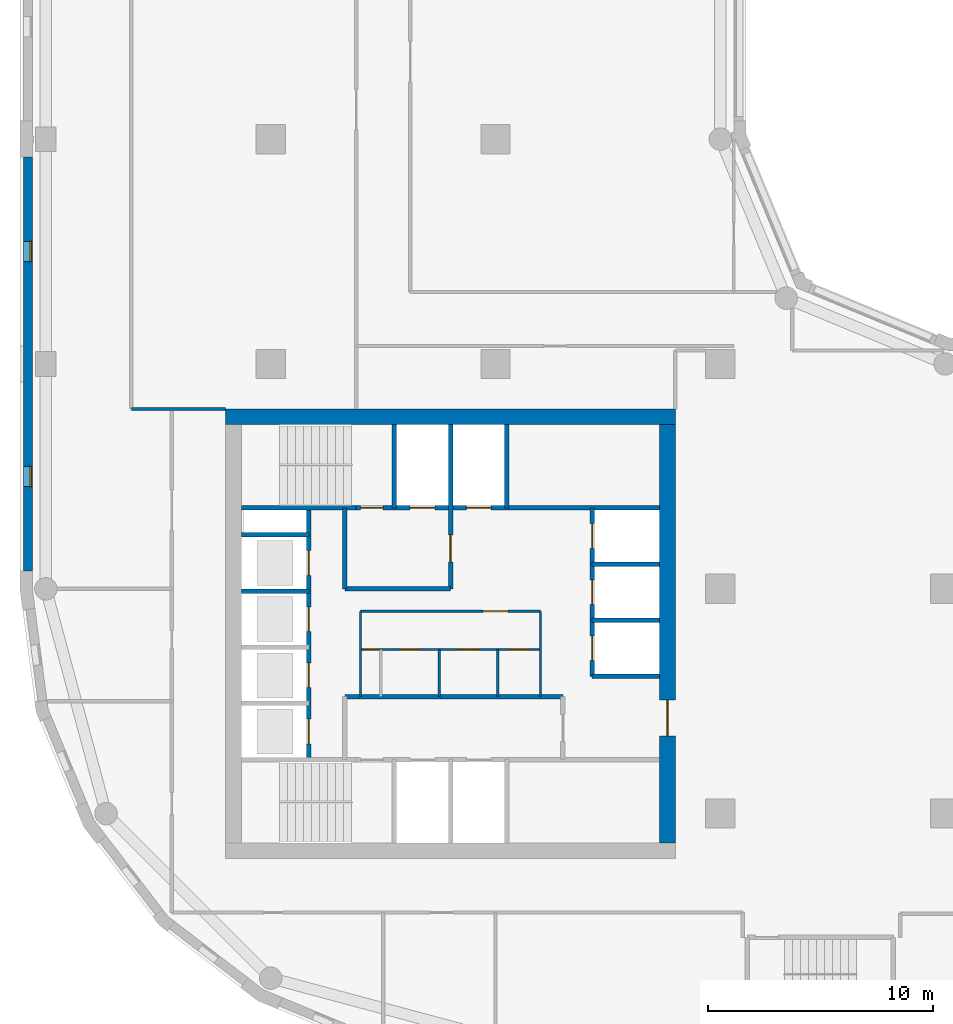
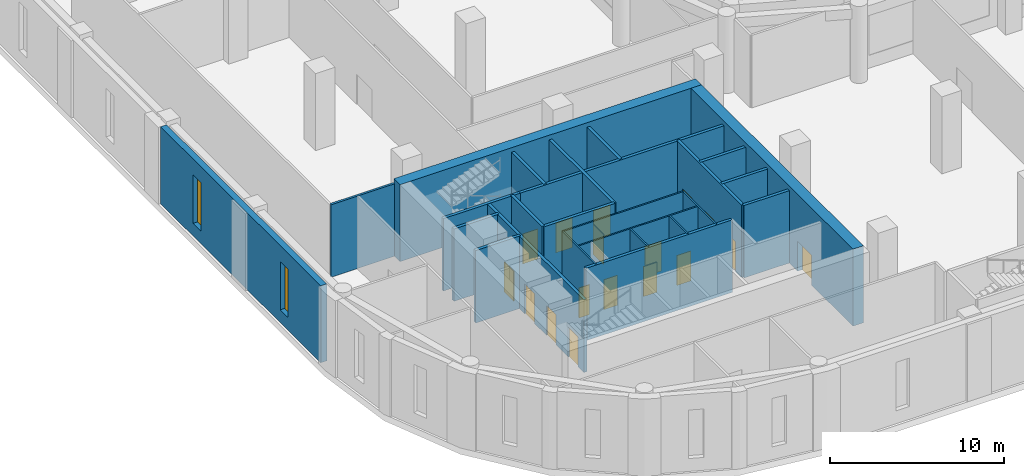
# One storey, part 3 of 9: 25 walls, 17 doors, 2 windows, 19 openings.
"""IFC4 building model written with IfcOpenShell, lengths in metres."""

from ifc_helpers import new_model, si_unit, direction, frame, frame_2d, origin, place, context, subcontext, project, spatial, rectangle, extrude, material, layer, layer_set, type_object, element, fill, save


model = new_model("IFC4")

# Units and contexts
model_context = context("Model", 3, precision=1e-05, world=origin(), true_north=direction((0.0, 1.0)))
body_context = subcontext(model_context, "Body", "Model", "MODEL_VIEW")
ifc_project = project(units=[si_unit("LENGTHUNIT", "METRE"), si_unit("AREAUNIT", "SQUARE_METRE"), si_unit("VOLUMEUNIT", "CUBIC_METRE"), si_unit("PLANEANGLEUNIT", "RADIAN"), si_unit("MASSUNIT", "GRAM", prefix="KILO")], contexts=[model_context])

# Site, building, storey
site_placement = place(None, origin())
site = spatial("IfcSite", under=ifc_project, at=site_placement, CompositionType="ELEMENT")
building_placement = place(site_placement, origin())
building = spatial("IfcBuilding", under=site, at=building_placement, Name="Qaws Garden Tower", CompositionType="ELEMENT")
storey_placement = place(building_placement, frame((0.0, 0.0, 126.300048828125)))
storey = spatial("IfcBuildingStorey", under=building, at=storey_placement, Name="L30", CompositionType="ELEMENT", Elevation=126.300048828125)

# Wall, openings, windows
ifc_material_1 = material(Name="Clay facing brick masonry", Category="masonry")
ifc_layer_1 = layer(ifc_material_1, 0.39990234375)
ifc_layer_set_1 = layer_set([ifc_layer_1], Name="Clay facing brick masonry")
wall_type_1 = type_object("IfcWallType", Name="Brick infill wall 400", PredefinedType="SOLIDWALL", material=ifc_layer_set_1)
wall_1_placement = place(storey_placement, frame((-0.800048828125, 39.199951171875, 0.0), z_axis=(0.0, 0.0, 1.0), x_axis=(0.0, -1.0, 0.0)))
wall_1 = element("IfcWall", 1, at=wall_1_placement, inside=storey, type_object=wall_type_1, Name="E-L30-infill-23", PredefinedType="SOLIDWALL", context=body_context, shape_type="SweptSolid", body=[
    extrude(rectangle(XDim=18.39990234375, YDim=0.39990234375, at=frame_2d((9.199951171875, 0.0))), origin(), (0.0, 0.0, 1.0), 5.39990234375),
])
opening_1_placement = place(wall_1_placement, frame((3.75, 0.0, 0.89990234375)))
opening_1 = element("IfcOpeningElement", 2, at=opening_1_placement, cuts=wall_1, Name="Opening W10", PredefinedType="OPENING", context=body_context, shape_type="SweptSolid", body=[
    extrude(rectangle(XDim=0.89990234375, YDim=3.39990234375, at=frame_2d((0.449951171875, 1.699951171875))), frame((0.0, 0.2099609375, 0.0), z_axis=(0.0, -1.0, 0.0), x_axis=(1.0, 0.0, 0.0)), (0.0, 0.0, 1.0), 0.419921875),
])
opening_2_placement = place(wall_1_placement, frame((13.75, 0.0, 0.89990234375)))
opening_2 = element("IfcOpeningElement", 3, at=opening_2_placement, cuts=wall_1, Name="Opening W10", PredefinedType="OPENING", context=body_context, shape_type="SweptSolid", body=[
    extrude(rectangle(XDim=0.89990234375, YDim=3.39990234375, at=frame_2d((0.449951171875, 1.699951171875))), frame((0.0, 0.2099609375, 0.0), z_axis=(0.0, -1.0, 0.0), x_axis=(1.0, 0.0, 0.0)), (0.0, 0.0, 1.0), 0.419921875),
])
ifc_material_2 = material(Name="Aluminium framed window, clear glazing", Category="aluminium")
window_type = type_object("IfcWindowType", Name="Slit window 900 x 3400", PartitioningType="SINGLE_PANEL", PredefinedType="WINDOW", material=ifc_material_2)
window_1_placement = place(opening_1_placement, origin())
window_1 = element("IfcWindow", 4, at=window_1_placement, inside=storey, type_object=window_type, Name="E-L30-window-23-0", OverallHeight=3.39990234375, OverallWidth=0.89990234375, PartitioningType="SINGLE_PANEL", PredefinedType="WINDOW", context=body_context, shape_type="SweptSolid", body=[
    extrude(rectangle(XDim=0.89990234375, YDim=3.39990234375, at=frame_2d((0.449951171875, 1.699951171875))), frame((0.0, 0.159912109375, 0.0), z_axis=(0.0, -1.0, 0.0), x_axis=(1.0, 0.0, 0.0)), (0.0, 0.0, 1.0), 0.06005859375),
])
fill(opening_1, window_1)
window_2_placement = place(opening_2_placement, origin())
window_2 = element("IfcWindow", 5, at=window_2_placement, inside=storey, type_object=window_type, Name="E-L30-window-24-0", OverallHeight=3.39990234375, OverallWidth=0.89990234375, PartitioningType="SINGLE_PANEL", PredefinedType="WINDOW", context=body_context, shape_type="SweptSolid", body=[
    extrude(rectangle(XDim=0.89990234375, YDim=3.39990234375, at=frame_2d((0.449951171875, 1.699951171875))), frame((0.0, 0.159912109375, 0.0), z_axis=(0.0, -1.0, 0.0), x_axis=(1.0, 0.0, 0.0)), (0.0, 0.0, 1.0), 0.06005859375),
])
fill(opening_2, window_2)

# Wall, openings, doors
ifc_material_3 = material(Name="Plasterboard")
ifc_layer_2 = layer(ifc_material_3, 0.10009765625)
ifc_layer_set_2 = layer_set([ifc_layer_2], Name="Plasterboard")
wall_type_2 = type_object("IfcWallType", Name="Core partition 100", PredefinedType="PARTITIONING", material=ifc_layer_set_2)
wall_2_placement = place(storey_placement, frame((14.0, 17.300048828125, 0.0), z_axis=(0.0, 0.0, 1.0), x_axis=(1.0, 0.0, 0.0)))
wall_2 = element("IfcWall", 6, at=wall_2_placement, inside=storey, type_object=wall_type_2, Name="Core partition", PredefinedType="PARTITIONING", context=body_context, shape_type="SweptSolid", body=[
    extrude(rectangle(XDim=8.0, YDim=0.10009765625, at=frame_2d((4.0, 0.0))), origin(), (0.0, 0.0, 1.0), 5.079833984375),
])
opening_3_placement = place(wall_2_placement, frame((0.10009765625, 0.0, 0.0)))
opening_3 = element("IfcOpeningElement", 7, at=opening_3_placement, cuts=wall_2, Name="Opening XD20", PredefinedType="OPENING", context=body_context, shape_type="SweptSolid", body=[
    extrude(rectangle(XDim=0.699951171875, YDim=2.10009765625, at=frame_2d((0.35009765625, 1.050048828125))), frame((0.0, 0.06005859375, 0.0), z_axis=(0.0, -1.0, 0.0), x_axis=(1.0, 0.0, 0.0)), (0.0, 0.0, 1.0), 0.1201171875),
])
opening_4_placement = place(wall_2_placement, frame((1.75, 0.0, 0.0)))
opening_4 = element("IfcOpeningElement", 8, at=opening_4_placement, cuts=wall_2, Name="Opening WD21", PredefinedType="OPENING", context=body_context, shape_type="SweptSolid", body=[
    extrude(rectangle(XDim=0.89990234375, YDim=2.10009765625, at=frame_2d((0.449951171875, 1.050048828125))), frame((0.0, 0.06005859375, 0.0), z_axis=(0.0, -1.0, 0.0), x_axis=(1.0, 0.0, 0.0)), (0.0, 0.0, 1.0), 0.1201171875),
])
opening_5_placement = place(wall_2_placement, frame((4.35009765625, 0.0, 0.0)))
opening_5 = element("IfcOpeningElement", 9, at=opening_5_placement, cuts=wall_2, Name="Opening WD22", PredefinedType="OPENING", context=body_context, shape_type="SweptSolid", body=[
    extrude(rectangle(XDim=0.89990234375, YDim=2.10009765625, at=frame_2d((0.449951171875, 1.050048828125))), frame((0.0, 0.06005859375, 0.0), z_axis=(0.0, -1.0, 0.0), x_axis=(1.0, 0.0, 0.0)), (0.0, 0.0, 1.0), 0.1201171875),
])
opening_6_placement = place(wall_2_placement, frame((6.60009765625, 0.0, 0.0)))
opening_6 = element("IfcOpeningElement", 10, at=opening_6_placement, cuts=wall_2, Name="Opening WD23", PredefinedType="OPENING", context=body_context, shape_type="SweptSolid", body=[
    extrude(rectangle(XDim=0.89990234375, YDim=2.10009765625, at=frame_2d((0.449951171875, 1.050048828125))), frame((0.0, 0.06005859375, 0.0), z_axis=(0.0, -1.0, 0.0), x_axis=(1.0, 0.0, 0.0)), (0.0, 0.0, 1.0), 0.1201171875),
])
ifc_material_4 = material(Name="Timber", Category="wood")
door_type_1 = type_object("IfcDoorType", Name="Store door 700x2100", OperationType="SINGLE_SWING_LEFT", PredefinedType="DOOR", material=ifc_material_4)
door_1_placement = place(opening_3_placement, frame((0.699951171875, 0.0, 0.0), z_axis=(0.0, 0.0, 1.0), x_axis=(-1.0, 0.0, 0.0)))
door_1 = element("IfcDoor", 11, at=door_1_placement, inside=storey, type_object=door_type_1, Name="Cleaner's store door", OperationType="SINGLE_SWING_LEFT", OverallHeight=2.10009765625, OverallWidth=0.699951171875, PredefinedType="DOOR", context=body_context, shape_type="SweptSolid", body=[
    extrude(rectangle(XDim=0.699951171875, YDim=2.10009765625, at=frame_2d((0.35009765625, 1.050048828125))), frame((0.0, 0.02490234375, 0.0), z_axis=(0.0, -1.0, 0.0), x_axis=(1.0, 0.0, 0.0)), (0.0, 0.0, 1.0), 0.050048828125),
])
fill(opening_3, door_1)
ifc_material_5 = material(Name="Timber", Category="wood")
door_type_2 = type_object("IfcDoorType", Name="WC door 900x2100", OperationType="SINGLE_SWING_LEFT", PredefinedType="DOOR", material=ifc_material_5)
door_2_placement = place(opening_4_placement, frame((0.89990234375, 0.0, 0.0), z_axis=(0.0, 0.0, 1.0), x_axis=(-1.0, 0.0, 0.0)))
door_2 = element("IfcDoor", 12, at=door_2_placement, inside=storey, type_object=door_type_2, Name="Men's WC door", OperationType="SINGLE_SWING_LEFT", OverallHeight=2.10009765625, OverallWidth=0.89990234375, PredefinedType="DOOR", context=body_context, shape_type="SweptSolid", body=[
    extrude(rectangle(XDim=0.89990234375, YDim=2.10009765625, at=frame_2d((0.449951171875, 1.050048828125))), frame((0.0, 0.02490234375, 0.0), z_axis=(0.0, -1.0, 0.0), x_axis=(1.0, 0.0, 0.0)), (0.0, 0.0, 1.0), 0.050048828125),
])
fill(opening_4, door_2)
door_3_placement = place(opening_5_placement, frame((0.89990234375, 0.0, 0.0), z_axis=(0.0, 0.0, 1.0), x_axis=(-1.0, 0.0, 0.0)))
door_3 = element("IfcDoor", 13, at=door_3_placement, inside=storey, type_object=door_type_2, Name="Women's WC door", OperationType="SINGLE_SWING_LEFT", OverallHeight=2.10009765625, OverallWidth=0.89990234375, PredefinedType="DOOR", context=body_context, shape_type="SweptSolid", body=[
    extrude(rectangle(XDim=0.89990234375, YDim=2.10009765625, at=frame_2d((0.449951171875, 1.050048828125))), frame((0.0, 0.02490234375, 0.0), z_axis=(0.0, -1.0, 0.0), x_axis=(1.0, 0.0, 0.0)), (0.0, 0.0, 1.0), 0.050048828125),
])
fill(opening_5, door_3)
door_4_placement = place(opening_6_placement, frame((0.89990234375, 0.0, 0.0), z_axis=(0.0, 0.0, 1.0), x_axis=(-1.0, 0.0, 0.0)))
door_4 = element("IfcDoor", 14, at=door_4_placement, inside=storey, type_object=door_type_2, Name="Accessible WC door", OperationType="SINGLE_SWING_LEFT", OverallHeight=2.10009765625, OverallWidth=0.89990234375, PredefinedType="DOOR", context=body_context, shape_type="SweptSolid", body=[
    extrude(rectangle(XDim=0.89990234375, YDim=2.10009765625, at=frame_2d((0.449951171875, 1.050048828125))), frame((0.0, 0.02490234375, 0.0), z_axis=(0.0, -1.0, 0.0), x_axis=(1.0, 0.0, 0.0)), (0.0, 0.0, 1.0), 0.050048828125),
])
fill(opening_6, door_4)

# Wall, opening, door
wall_3_placement = place(storey_placement, frame((14.0, 19.0, 0.0), z_axis=(0.0, 0.0, 1.0), x_axis=(1.0, 0.0, 0.0)))
wall_3 = element("IfcWall", 15, at=wall_3_placement, inside=storey, type_object=wall_type_2, Name="Core partition", PredefinedType="PARTITIONING", context=body_context, shape_type="SweptSolid", body=[
    extrude(rectangle(XDim=8.0, YDim=0.10009765625, at=frame_2d((4.0, 0.0))), origin(), (0.0, 0.0, 1.0), 5.079833984375),
])
opening_7_placement = place(wall_3_placement, frame((5.449951171875, 0.0, 0.0)))
opening_7 = element("IfcOpeningElement", 16, at=opening_7_placement, cuts=wall_3, Name="Opening WL19", PredefinedType="OPENING", context=body_context, shape_type="SweptSolid", body=[
    extrude(rectangle(XDim=1.10009765625, YDim=2.10009765625, at=frame_2d((0.550048828125, 1.050048828125))), frame((0.0, 0.06005859375, 0.0), z_axis=(0.0, -1.0, 0.0), x_axis=(1.0, 0.0, 0.0)), (0.0, 0.0, 1.0), 0.1201171875),
])
ifc_material_6 = material(Name="Timber", Category="wood")
door_type_3 = type_object("IfcDoorType", Name="WC lobby door 1100x2100", OperationType="SINGLE_SWING_LEFT", PredefinedType="DOOR", material=ifc_material_6)
door_5_placement = place(opening_7_placement, frame((1.10009765625, 0.0, 0.0), z_axis=(0.0, 0.0, 1.0), x_axis=(-1.0, 0.0, 0.0)))
door_5 = element("IfcDoor", 17, at=door_5_placement, inside=storey, type_object=door_type_3, Name="WC lobby door", OperationType="SINGLE_SWING_LEFT", OverallHeight=2.10009765625, OverallWidth=1.10009765625, PredefinedType="DOOR", context=body_context, shape_type="SweptSolid", body=[
    extrude(rectangle(XDim=1.10009765625, YDim=2.10009765625, at=frame_2d((0.550048828125, 1.050048828125))), frame((0.0, 0.02490234375, 0.0), z_axis=(0.0, -1.0, 0.0), x_axis=(1.0, 0.0, 0.0)), (0.0, 0.0, 1.0), 0.050048828125),
])
fill(opening_7, door_5)

# Walls
wall_4_placement = place(storey_placement, frame((14.0, 15.199951171875, 0.0), z_axis=(0.0, 0.0, 1.0), x_axis=(0.0, 1.0, 0.0)))
element("IfcWall", 18, at=wall_4_placement, inside=storey, type_object=wall_type_2, Name="Core partition", PredefinedType="PARTITIONING", context=body_context, shape_type="SweptSolid", body=[
    extrude(rectangle(XDim=3.800048828125, YDim=0.10009765625, at=frame_2d((1.89990234375, 0.0))), origin(), (0.0, 0.0, 1.0), 5.079833984375),
])
for number, where, z_axis, x_axis, name in (
    (19, (17.5, 15.199951171875, 0.0), (0.0, 0.0, 1.0), (0.0, 1.0, 0.0), "Core partition"),
    (20, (20.10009765625, 15.199951171875, 0.0), (0.0, 0.0, 1.0), (0.0, 1.0, 0.0), "Core partition"),
):
    element("IfcWall", number, at=place(storey_placement, frame(where, z_axis=z_axis, x_axis=x_axis)), inside=storey, type_object=wall_type_2, Name=name, PredefinedType="PARTITIONING", context=body_context, shape_type="SweptSolid", body=[
        extrude(rectangle(XDim=2.10009765625, YDim=0.10009765625, at=frame_2d((1.050048828125, 0.0))), origin(), (0.0, 0.0, 1.0), 5.079833984375),
    ])
wall_5_placement = place(storey_placement, frame((22.0, 15.199951171875, 0.0), z_axis=(0.0, 0.0, 1.0), x_axis=(0.0, 1.0, 0.0)))
element("IfcWall", 21, at=wall_5_placement, inside=storey, type_object=wall_type_2, Name="Core partition", PredefinedType="PARTITIONING", context=body_context, shape_type="SweptSolid", body=[
    extrude(rectangle(XDim=3.800048828125, YDim=0.10009765625, at=frame_2d((1.89990234375, 0.0))), origin(), (0.0, 0.0, 1.0), 5.079833984375),
])
ifc_material_7 = material(Name="Concrete C70", Category="concrete")
ifc_layer_3 = layer(ifc_material_7, 0.199951171875)
ifc_layer_set_3 = layer_set([ifc_layer_3], Name="Concrete C70")
wall_type_3 = type_object("IfcWallType", Name="Core shaft wall 200 C70", PredefinedType="SHEAR", material=ifc_layer_set_3)
wall_6_placement = place(storey_placement, frame((13.300048828125, 15.199951171875, 0.0), z_axis=(0.0, 0.0, 1.0), x_axis=(1.0, 0.0, 0.0)))
element("IfcWall", 22, at=wall_6_placement, inside=storey, type_object=wall_type_3, Name="Shaft wall", PredefinedType="SHEAR", context=body_context, shape_type="SweptSolid", body=[
    extrude(rectangle(XDim=9.699951171875, YDim=0.199951171875, at=frame_2d((4.85009765625, 0.0))), origin(), (0.0, 0.0, 1.0), 5.079833984375),
])
for number, where, z_axis, x_axis, name in (
    (23, (24.300048828125, 16.10009765625, 0.0), (0.0, 0.0, 1.0), (1.0, 0.0, 0.0), "Shaft wall"),
    (24, (24.300048828125, 18.60009765625, 0.0), (0.0, 0.0, 1.0), (1.0, 0.0, 0.0), "Shaft wall"),
    (25, (8.699951171875, 19.89990234375, 0.0), (0.0, 0.0, 1.0), (1.0, 0.0, 0.0), "Shaft wall"),
):
    element("IfcWall", number, at=place(storey_placement, frame(where, z_axis=z_axis, x_axis=x_axis)), inside=storey, type_object=wall_type_3, Name=name, PredefinedType="SHEAR", context=body_context, shape_type="SweptSolid", body=[
        extrude(rectangle(XDim=3.0, YDim=0.199951171875, at=frame_2d((1.5, 0.0))), origin(), (0.0, 0.0, 1.0), 5.079833984375),
    ])
wall_7_placement = place(storey_placement, frame((13.300048828125, 20.0, 0.0), z_axis=(0.0, 0.0, 1.0), x_axis=(1.0, 0.0, 0.0)))
element("IfcWall", 26, at=wall_7_placement, inside=storey, type_object=wall_type_3, Name="Shaft wall", PredefinedType="SHEAR", context=body_context, shape_type="SweptSolid", body=[
    extrude(rectangle(XDim=4.699951171875, YDim=0.199951171875, at=frame_2d((2.35009765625, 0.0))), origin(), (0.0, 0.0, 1.0), 5.079833984375),
])
for number, where, z_axis, x_axis, name in (
    (27, (24.300048828125, 21.10009765625, 0.0), (0.0, 0.0, 1.0), (1.0, 0.0, 0.0), "Shaft wall"),
    (28, (8.699951171875, 22.39990234375, 0.0), (0.0, 0.0, 1.0), (1.0, 0.0, 0.0), "Shaft wall"),
):
    element("IfcWall", number, at=place(storey_placement, frame(where, z_axis=z_axis, x_axis=x_axis)), inside=storey, type_object=wall_type_3, Name=name, PredefinedType="SHEAR", context=body_context, shape_type="SweptSolid", body=[
        extrude(rectangle(XDim=3.0, YDim=0.199951171875, at=frame_2d((1.5, 0.0))), origin(), (0.0, 0.0, 1.0), 5.079833984375),
    ])
wall_8_placement = place(storey_placement, frame((8.699951171875, 23.60009765625, 0.0), z_axis=(0.0, 0.0, 1.0), x_axis=(1.0, 0.0, 0.0)))
element("IfcWall", 29, at=wall_8_placement, inside=storey, type_object=wall_type_3, Name="Shaft wall", PredefinedType="SHEAR", context=body_context, shape_type="SweptSolid", body=[
    extrude(rectangle(XDim=5.10009765625, YDim=0.199951171875, at=frame_2d((2.550048828125, 0.0))), origin(), (0.0, 0.0, 1.0), 5.079833984375),
])

# Wall, openings, doors
wall_9_placement = place(storey_placement, frame((13.800048828125, 23.60009765625, 0.0), z_axis=(0.0, 0.0, 1.0), x_axis=(1.0, 0.0, 0.0)))
wall_9 = element("IfcWall", 30, at=wall_9_placement, inside=storey, type_object=wall_type_3, Name="Shaft wall", PredefinedType="SHEAR", context=body_context, shape_type="SweptSolid", body=[
    extrude(rectangle(XDim=13.5, YDim=0.199951171875, at=frame_2d((6.75, 0.0))), origin(), (0.0, 0.0, 1.0), 5.079833984375),
])
opening_8_placement = place(wall_9_placement, frame((2.39990234375, 0.0, 0.0)))
opening_8 = element("IfcOpeningElement", 31, at=opening_8_placement, cuts=wall_9, Name="Opening LD10", PredefinedType="OPENING", context=body_context, shape_type="SweptSolid", body=[
    extrude(rectangle(XDim=1.10009765625, YDim=2.10009765625, at=frame_2d((0.550048828125, 1.050048828125))), frame((0.0, 0.10986328125, 0.0), z_axis=(0.0, -1.0, 0.0), x_axis=(1.0, 0.0, 0.0)), (0.0, 0.0, 1.0), 0.219970703125),
])
opening_9_placement = place(wall_9_placement, frame((4.89990234375, 0.0, 0.0)))
opening_9 = element("IfcOpeningElement", 32, at=opening_9_placement, cuts=wall_9, Name="Opening LD11", PredefinedType="OPENING", context=body_context, shape_type="SweptSolid", body=[
    extrude(rectangle(XDim=1.10009765625, YDim=2.10009765625, at=frame_2d((0.550048828125, 1.050048828125))), frame((0.0, 0.10986328125, 0.0), z_axis=(0.0, -1.0, 0.0), x_axis=(1.0, 0.0, 0.0)), (0.0, 0.0, 1.0), 0.219970703125),
])
opening_10_placement = place(wall_9_placement, frame((0.199951171875, 0.0, 0.0)))
opening_10 = element("IfcOpeningElement", 33, at=opening_10_placement, cuts=wall_9, Name="Opening SD13", PredefinedType="OPENING", context=body_context, shape_type="SweptSolid", body=[
    extrude(rectangle(XDim=1.0, YDim=2.10009765625, at=frame_2d((0.5, 1.050048828125))), frame((0.0, 0.10986328125, 0.0), z_axis=(0.0, -1.0, 0.0), x_axis=(1.0, 0.0, 0.0)), (0.0, 0.0, 1.0), 0.219970703125),
])
ifc_material_8 = material(Name="Steel S235", Category="steel")
door_type_4 = type_object("IfcDoorType", Name="Landing door 1100x2100", OperationType="DOUBLE_DOOR_SLIDING", PredefinedType="DOOR", material=ifc_material_8)
door_6_placement = place(opening_8_placement, origin())
door_6 = element("IfcDoor", 34, at=door_6_placement, inside=storey, type_object=door_type_4, Name="Lift FF3 landing door", OperationType="DOUBLE_DOOR_SLIDING", OverallHeight=2.10009765625, OverallWidth=1.10009765625, PredefinedType="DOOR", context=body_context, shape_type="SweptSolid", body=[
    extrude(rectangle(XDim=1.10009765625, YDim=2.10009765625, at=frame_2d((0.550048828125, 1.050048828125))), frame((0.0, 0.02490234375, 0.0), z_axis=(0.0, -1.0, 0.0), x_axis=(1.0, 0.0, 0.0)), (0.0, 0.0, 1.0), 0.050048828125),
])
fill(opening_8, door_6)
door_7_placement = place(opening_9_placement, origin())
door_7 = element("IfcDoor", 35, at=door_7_placement, inside=storey, type_object=door_type_4, Name="Lift SV2 landing door", OperationType="DOUBLE_DOOR_SLIDING", OverallHeight=2.10009765625, OverallWidth=1.10009765625, PredefinedType="DOOR", context=body_context, shape_type="SweptSolid", body=[
    extrude(rectangle(XDim=1.10009765625, YDim=2.10009765625, at=frame_2d((0.550048828125, 1.050048828125))), frame((0.0, 0.02490234375, 0.0), z_axis=(0.0, -1.0, 0.0), x_axis=(1.0, 0.0, 0.0)), (0.0, 0.0, 1.0), 0.050048828125),
])
fill(opening_9, door_7)
ifc_material_9 = material(Name="Steel S235", Category="steel")
door_type_5 = type_object("IfcDoorType", Name="Stair door 1000x2100", OperationType="SINGLE_SWING_RIGHT", PredefinedType="DOOR", material=ifc_material_9)
door_8_placement = place(opening_10_placement, origin())
door_8 = element("IfcDoor", 36, at=door_8_placement, inside=storey, type_object=door_type_5, Name="Stair 4 door", OperationType="SINGLE_SWING_RIGHT", OverallHeight=2.10009765625, OverallWidth=1.0, PredefinedType="DOOR", context=body_context, shape_type="SweptSolid", body=[
    extrude(rectangle(XDim=1.0, YDim=2.10009765625, at=frame_2d((0.5, 1.050048828125))), frame((0.0, 0.02490234375, 0.0), z_axis=(0.0, -1.0, 0.0), x_axis=(1.0, 0.0, 0.0)), (0.0, 0.0, 1.0), 0.050048828125),
])
fill(opening_10, door_8)

wall_10_placement = place(storey_placement, frame((11.699951171875, 12.39990234375, 0.0), z_axis=(0.0, 0.0, 1.0), x_axis=(0.0, 1.0, 0.0)))
wall_10 = element("IfcWall", 37, at=wall_10_placement, inside=storey, type_object=wall_type_3, Name="Shaft wall", PredefinedType="SHEAR", context=body_context, shape_type="SweptSolid", body=[
    extrude(rectangle(XDim=11.2001953125, YDim=0.199951171875, at=frame_2d((5.60009765625, 0.0))), origin(), (0.0, 0.0, 1.0), 5.079833984375),
])
opening_11_placement = place(wall_10_placement, frame((0.699951171875, 0.0, 0.0)))
opening_11 = element("IfcOpeningElement", 38, at=opening_11_placement, cuts=wall_10, Name="Opening LD01", PredefinedType="OPENING", context=body_context, shape_type="SweptSolid", body=[
    extrude(rectangle(XDim=1.10009765625, YDim=2.10009765625, at=frame_2d((0.550048828125, 1.050048828125))), frame((0.0, 0.10986328125, 0.0), z_axis=(0.0, -1.0, 0.0), x_axis=(1.0, 0.0, 0.0)), (0.0, 0.0, 1.0), 0.219970703125),
])
opening_12_placement = place(wall_10_placement, frame((3.199951171875, 0.0, 0.0)))
opening_12 = element("IfcOpeningElement", 39, at=opening_12_placement, cuts=wall_10, Name="Opening LD02", PredefinedType="OPENING", context=body_context, shape_type="SweptSolid", body=[
    extrude(rectangle(XDim=1.10009765625, YDim=2.10009765625, at=frame_2d((0.550048828125, 1.050048828125))), frame((0.0, 0.10986328125, 0.0), z_axis=(0.0, -1.0, 0.0), x_axis=(1.0, 0.0, 0.0)), (0.0, 0.0, 1.0), 0.219970703125),
])
opening_13_placement = place(wall_10_placement, frame((5.699951171875, 0.0, 0.0)))
opening_13 = element("IfcOpeningElement", 40, at=opening_13_placement, cuts=wall_10, Name="Opening LD03", PredefinedType="OPENING", context=body_context, shape_type="SweptSolid", body=[
    extrude(rectangle(XDim=1.10009765625, YDim=2.10009765625, at=frame_2d((0.550048828125, 1.050048828125))), frame((0.0, 0.10986328125, 0.0), z_axis=(0.0, -1.0, 0.0), x_axis=(1.0, 0.0, 0.0)), (0.0, 0.0, 1.0), 0.219970703125),
])
opening_14_placement = place(wall_10_placement, frame((8.199951171875, 0.0, 0.0)))
opening_14 = element("IfcOpeningElement", 41, at=opening_14_placement, cuts=wall_10, Name="Opening LD04", PredefinedType="OPENING", context=body_context, shape_type="SweptSolid", body=[
    extrude(rectangle(XDim=1.10009765625, YDim=2.10009765625, at=frame_2d((0.550048828125, 1.050048828125))), frame((0.0, 0.10986328125, 0.0), z_axis=(0.0, -1.0, 0.0), x_axis=(1.0, 0.0, 0.0)), (0.0, 0.0, 1.0), 0.219970703125),
])
door_9_placement = place(opening_11_placement, origin())
door_9 = element("IfcDoor", 42, at=door_9_placement, inside=storey, type_object=door_type_4, Name="Lift W1 landing door", OperationType="DOUBLE_DOOR_SLIDING", OverallHeight=2.10009765625, OverallWidth=1.10009765625, PredefinedType="DOOR", context=body_context, shape_type="SweptSolid", body=[
    extrude(rectangle(XDim=1.10009765625, YDim=2.10009765625, at=frame_2d((0.550048828125, 1.050048828125))), frame((0.0, 0.02490234375, 0.0), z_axis=(0.0, -1.0, 0.0), x_axis=(1.0, 0.0, 0.0)), (0.0, 0.0, 1.0), 0.050048828125),
])
fill(opening_11, door_9)
door_10_placement = place(opening_12_placement, origin())
door_10 = element("IfcDoor", 43, at=door_10_placement, inside=storey, type_object=door_type_4, Name="Lift W2 landing door", OperationType="DOUBLE_DOOR_SLIDING", OverallHeight=2.10009765625, OverallWidth=1.10009765625, PredefinedType="DOOR", context=body_context, shape_type="SweptSolid", body=[
    extrude(rectangle(XDim=1.10009765625, YDim=2.10009765625, at=frame_2d((0.550048828125, 1.050048828125))), frame((0.0, 0.02490234375, 0.0), z_axis=(0.0, -1.0, 0.0), x_axis=(1.0, 0.0, 0.0)), (0.0, 0.0, 1.0), 0.050048828125),
])
fill(opening_12, door_10)
door_11_placement = place(opening_13_placement, origin())
door_11 = element("IfcDoor", 44, at=door_11_placement, inside=storey, type_object=door_type_4, Name="Lift W3 landing door", OperationType="DOUBLE_DOOR_SLIDING", OverallHeight=2.10009765625, OverallWidth=1.10009765625, PredefinedType="DOOR", context=body_context, shape_type="SweptSolid", body=[
    extrude(rectangle(XDim=1.10009765625, YDim=2.10009765625, at=frame_2d((0.550048828125, 1.050048828125))), frame((0.0, 0.02490234375, 0.0), z_axis=(0.0, -1.0, 0.0), x_axis=(1.0, 0.0, 0.0)), (0.0, 0.0, 1.0), 0.050048828125),
])
fill(opening_13, door_11)
door_12_placement = place(opening_14_placement, origin())
door_12 = element("IfcDoor", 45, at=door_12_placement, inside=storey, type_object=door_type_4, Name="Lift W4 landing door", OperationType="DOUBLE_DOOR_SLIDING", OverallHeight=2.10009765625, OverallWidth=1.10009765625, PredefinedType="DOOR", context=body_context, shape_type="SweptSolid", body=[
    extrude(rectangle(XDim=1.10009765625, YDim=2.10009765625, at=frame_2d((0.550048828125, 1.050048828125))), frame((0.0, 0.02490234375, 0.0), z_axis=(0.0, -1.0, 0.0), x_axis=(1.0, 0.0, 0.0)), (0.0, 0.0, 1.0), 0.050048828125),
])
fill(opening_14, door_12)

# Walls
wall_11_placement = place(storey_placement, frame((13.300048828125, 20.0, 0.0), z_axis=(0.0, 0.0, 1.0), x_axis=(0.0, 1.0, 0.0)))
element("IfcWall", 46, at=wall_11_placement, inside=storey, type_object=wall_type_3, Name="Shaft wall", PredefinedType="SHEAR", context=body_context, shape_type="SweptSolid", body=[
    extrude(rectangle(XDim=3.60009765625, YDim=0.199951171875, at=frame_2d((1.800048828125, 0.0))), origin(), (0.0, 0.0, 1.0), 5.079833984375),
])
wall_12_placement = place(storey_placement, frame((15.5, 23.60009765625, 0.0), z_axis=(0.0, 0.0, 1.0), x_axis=(0.0, 1.0, 0.0)))
element("IfcWall", 47, at=wall_12_placement, inside=storey, type_object=wall_type_3, Name="Shaft wall", PredefinedType="SHEAR", context=body_context, shape_type="SweptSolid", body=[
    extrude(rectangle(XDim=3.699951171875, YDim=0.199951171875, at=frame_2d((1.85009765625, 0.0))), origin(), (0.0, 0.0, 1.0), 5.079833984375),
])

# Wall, opening, door
wall_13_placement = place(storey_placement, frame((18.0, 20.0, 0.0), z_axis=(0.0, 0.0, 1.0), x_axis=(0.0, 1.0, 0.0)))
wall_13 = element("IfcWall", 48, at=wall_13_placement, inside=storey, type_object=wall_type_3, Name="Shaft wall", PredefinedType="SHEAR", context=body_context, shape_type="SweptSolid", body=[
    extrude(rectangle(XDim=7.300048828125, YDim=0.199951171875, at=frame_2d((3.64990234375, 0.0))), origin(), (0.0, 0.0, 1.0), 5.079833984375),
])
opening_15_placement = place(wall_13_placement, frame((1.199951171875, 0.0, 0.0)))
opening_15 = element("IfcOpeningElement", 49, at=opening_15_placement, cuts=wall_13, Name="Opening FD18", PredefinedType="OPENING", context=body_context, shape_type="SweptSolid", body=[
    extrude(rectangle(XDim=1.199951171875, YDim=2.10009765625, at=frame_2d((0.60009765625, 1.050048828125))), frame((0.0, 0.10986328125, 0.0), z_axis=(0.0, -1.0, 0.0), x_axis=(1.0, 0.0, 0.0)), (0.0, 0.0, 1.0), 0.219970703125),
])
ifc_material_10 = material(Name="Steel S235", Category="steel")
door_type_6 = type_object("IfcDoorType", Name="Lobby door 1200x2100", OperationType="DOUBLE_DOOR_SINGLE_SWING", PredefinedType="DOOR", material=ifc_material_10)
door_13_placement = place(opening_15_placement, origin())
door_13 = element("IfcDoor", 50, at=door_13_placement, inside=storey, type_object=door_type_6, Name="Fire-fighting lobby door", OperationType="DOUBLE_DOOR_SINGLE_SWING", OverallHeight=2.10009765625, OverallWidth=1.199951171875, PredefinedType="DOOR", context=body_context, shape_type="SweptSolid", body=[
    extrude(rectangle(XDim=1.199951171875, YDim=2.10009765625, at=frame_2d((0.60009765625, 1.050048828125))), frame((0.0, 0.02490234375, 0.0), z_axis=(0.0, -1.0, 0.0), x_axis=(1.0, 0.0, 0.0)), (0.0, 0.0, 1.0), 0.050048828125),
])
fill(opening_15, door_13)

# Wall
wall_14_placement = place(storey_placement, frame((20.5, 23.60009765625, 0.0), z_axis=(0.0, 0.0, 1.0), x_axis=(0.0, 1.0, 0.0)))
element("IfcWall", 51, at=wall_14_placement, inside=storey, type_object=wall_type_3, Name="Shaft wall", PredefinedType="SHEAR", context=body_context, shape_type="SweptSolid", body=[
    extrude(rectangle(XDim=3.699951171875, YDim=0.199951171875, at=frame_2d((1.85009765625, 0.0))), origin(), (0.0, 0.0, 1.0), 5.079833984375),
])

# Wall, openings, doors
wall_15_placement = place(storey_placement, frame((24.300048828125, 16.10009765625, 0.0), z_axis=(0.0, 0.0, 1.0), x_axis=(0.0, 1.0, 0.0)))
wall_15 = element("IfcWall", 52, at=wall_15_placement, inside=storey, type_object=wall_type_3, Name="Shaft wall", PredefinedType="SHEAR", context=body_context, shape_type="SweptSolid", body=[
    extrude(rectangle(XDim=7.5, YDim=0.199951171875, at=frame_2d((3.75, 0.0))), origin(), (0.0, 0.0, 1.0), 5.079833984375),
])
opening_16_placement = place(wall_15_placement, frame((0.699951171875, 0.0, 0.0)))
opening_16 = element("IfcOpeningElement", 53, at=opening_16_placement, cuts=wall_15, Name="Opening LD05", PredefinedType="OPENING", context=body_context, shape_type="SweptSolid", body=[
    extrude(rectangle(XDim=1.10009765625, YDim=2.10009765625, at=frame_2d((0.550048828125, 1.050048828125))), frame((0.0, 0.10986328125, 0.0), z_axis=(0.0, -1.0, 0.0), x_axis=(1.0, 0.0, 0.0)), (0.0, 0.0, 1.0), 0.219970703125),
])
opening_17_placement = place(wall_15_placement, frame((3.199951171875, 0.0, 0.0)))
opening_17 = element("IfcOpeningElement", 54, at=opening_17_placement, cuts=wall_15, Name="Opening LD06", PredefinedType="OPENING", context=body_context, shape_type="SweptSolid", body=[
    extrude(rectangle(XDim=1.10009765625, YDim=2.10009765625, at=frame_2d((0.550048828125, 1.050048828125))), frame((0.0, 0.10986328125, 0.0), z_axis=(0.0, -1.0, 0.0), x_axis=(1.0, 0.0, 0.0)), (0.0, 0.0, 1.0), 0.219970703125),
])
opening_18_placement = place(wall_15_placement, frame((5.699951171875, 0.0, 0.0)))
opening_18 = element("IfcOpeningElement", 55, at=opening_18_placement, cuts=wall_15, Name="Opening LD07", PredefinedType="OPENING", context=body_context, shape_type="SweptSolid", body=[
    extrude(rectangle(XDim=1.10009765625, YDim=2.10009765625, at=frame_2d((0.550048828125, 1.050048828125))), frame((0.0, 0.10986328125, 0.0), z_axis=(0.0, -1.0, 0.0), x_axis=(1.0, 0.0, 0.0)), (0.0, 0.0, 1.0), 0.219970703125),
])
door_14_placement = place(opening_16_placement, origin())
door_14 = element("IfcDoor", 56, at=door_14_placement, inside=storey, type_object=door_type_4, Name="Lift E1 landing door", OperationType="DOUBLE_DOOR_SLIDING", OverallHeight=2.10009765625, OverallWidth=1.10009765625, PredefinedType="DOOR", context=body_context, shape_type="SweptSolid", body=[
    extrude(rectangle(XDim=1.10009765625, YDim=2.10009765625, at=frame_2d((0.550048828125, 1.050048828125))), frame((0.0, 0.02490234375, 0.0), z_axis=(0.0, -1.0, 0.0), x_axis=(1.0, 0.0, 0.0)), (0.0, 0.0, 1.0), 0.050048828125),
])
fill(opening_16, door_14)
door_15_placement = place(opening_17_placement, origin())
door_15 = element("IfcDoor", 57, at=door_15_placement, inside=storey, type_object=door_type_4, Name="Lift E2 landing door", OperationType="DOUBLE_DOOR_SLIDING", OverallHeight=2.10009765625, OverallWidth=1.10009765625, PredefinedType="DOOR", context=body_context, shape_type="SweptSolid", body=[
    extrude(rectangle(XDim=1.10009765625, YDim=2.10009765625, at=frame_2d((0.550048828125, 1.050048828125))), frame((0.0, 0.02490234375, 0.0), z_axis=(0.0, -1.0, 0.0), x_axis=(1.0, 0.0, 0.0)), (0.0, 0.0, 1.0), 0.050048828125),
])
fill(opening_17, door_15)
door_16_placement = place(opening_18_placement, origin())
door_16 = element("IfcDoor", 58, at=door_16_placement, inside=storey, type_object=door_type_4, Name="Lift E3 landing door", OperationType="DOUBLE_DOOR_SLIDING", OverallHeight=2.10009765625, OverallWidth=1.10009765625, PredefinedType="DOOR", context=body_context, shape_type="SweptSolid", body=[
    extrude(rectangle(XDim=1.10009765625, YDim=2.10009765625, at=frame_2d((0.550048828125, 1.050048828125))), frame((0.0, 0.02490234375, 0.0), z_axis=(0.0, -1.0, 0.0), x_axis=(1.0, 0.0, 0.0)), (0.0, 0.0, 1.0), 0.050048828125),
])
fill(opening_18, door_16)

# Wall, opening, door
ifc_material_11 = material(Name="Concrete C70", Category="concrete")
ifc_layer_4 = layer(ifc_material_11, 0.699951171875)
ifc_layer_set_4 = layer_set([ifc_layer_4], Name="Concrete C70")
wall_type_4 = type_object("IfcWallType", Name="Core wall 700 C70", PredefinedType="SHEAR", material=ifc_layer_set_4)
wall_16_placement = place(storey_placement, frame((27.64990234375, 8.699951171875, 0.0), z_axis=(0.0, 0.0, 1.0), x_axis=(0.0, 1.0, 0.0)))
wall_16 = element("IfcWall", 59, at=wall_16_placement, inside=storey, type_object=wall_type_4, Name="Core wall L30 east", PredefinedType="SHEAR", context=body_context, shape_type="SweptSolid", body=[
    extrude(rectangle(XDim=18.60009765625, YDim=0.699951171875, at=frame_2d((9.300048828125, 0.0))), origin(), (0.0, 0.0, 1.0), 5.39990234375),
])
opening_19_placement = place(wall_16_placement, frame((4.75, 0.0, 0.0)))
opening_19 = element("IfcOpeningElement", 60, at=opening_19_placement, cuts=wall_16, Name="Opening ED24", PredefinedType="OPENING", context=body_context, shape_type="SweptSolid", body=[
    extrude(rectangle(XDim=1.60009765625, YDim=2.10009765625, at=frame_2d((0.800048828125, 1.050048828125))), frame((0.0, 0.35986328125, 0.0), z_axis=(0.0, -1.0, 0.0), x_axis=(1.0, 0.0, 0.0)), (0.0, 0.0, 1.0), 0.719970703125),
])
ifc_material_12 = material(Name="Steel S235", Category="steel")
door_type_7 = type_object("IfcDoorType", Name="Core entrance door 1600x2100", OperationType="DOUBLE_DOOR_SINGLE_SWING", PredefinedType="DOOR", material=ifc_material_12)
door_17_placement = place(opening_19_placement, frame((1.60009765625, 0.0, 0.0), z_axis=(0.0, 0.0, 1.0), x_axis=(-1.0, 0.0, 0.0)))
door_17 = element("IfcDoor", 61, at=door_17_placement, inside=storey, type_object=door_type_7, Name="Core entrance door", OperationType="DOUBLE_DOOR_SINGLE_SWING", OverallHeight=2.10009765625, OverallWidth=1.60009765625, PredefinedType="DOOR", context=body_context, shape_type="SweptSolid", body=[
    extrude(rectangle(XDim=1.60009765625, YDim=2.10009765625, at=frame_2d((0.800048828125, 1.050048828125))), frame((0.0, 0.02490234375, 0.0), z_axis=(0.0, -1.0, 0.0), x_axis=(1.0, 0.0, 0.0)), (0.0, 0.0, 1.0), 0.050048828125),
])
fill(opening_19, door_17)

# Walls
wall_17_placement = place(storey_placement, frame((28.0, 27.64990234375, 0.0), z_axis=(0.0, 0.0, 1.0), x_axis=(-1.0, 0.0, 0.0)))
element("IfcWall", 62, at=wall_17_placement, inside=storey, type_object=wall_type_4, Name="Core wall L30 north", PredefinedType="SHEAR", context=body_context, shape_type="SweptSolid", body=[
    extrude(rectangle(XDim=20.0, YDim=0.699951171875, at=frame_2d((10.0, 0.0))), origin(), (0.0, 0.0, 1.0), 5.39990234375),
])
ifc_material_13 = material(Name="Gypsum board partition")
ifc_layer_5 = layer(ifc_material_13, 0.14990234375)
ifc_layer_set_5 = layer_set([ifc_layer_5], Name="Gypsum board partition")
wall_type_5 = type_object("IfcWallType", Name="PARTITION 150 EI 60", PredefinedType="PARTITIONING", material=ifc_layer_set_5)
wall_18_placement = place(storey_placement, frame((3.800048828125, 28.0, 0.0), z_axis=(0.0, 0.0, 1.0), x_axis=(1.0, 0.0, 0.0)))
element("IfcWall", 63, at=wall_18_placement, inside=storey, type_object=wall_type_5, Name="O-L30-wall-026", PredefinedType="PARTITIONING", context=body_context, shape_type="SweptSolid", body=[
    extrude(rectangle(XDim=4.199951171875, YDim=0.14990234375, at=frame_2d((2.10009765625, 0.0))), origin(), (0.0, 0.0, 1.0), 5.079833984375),
])

save(model, "model.ifc")
